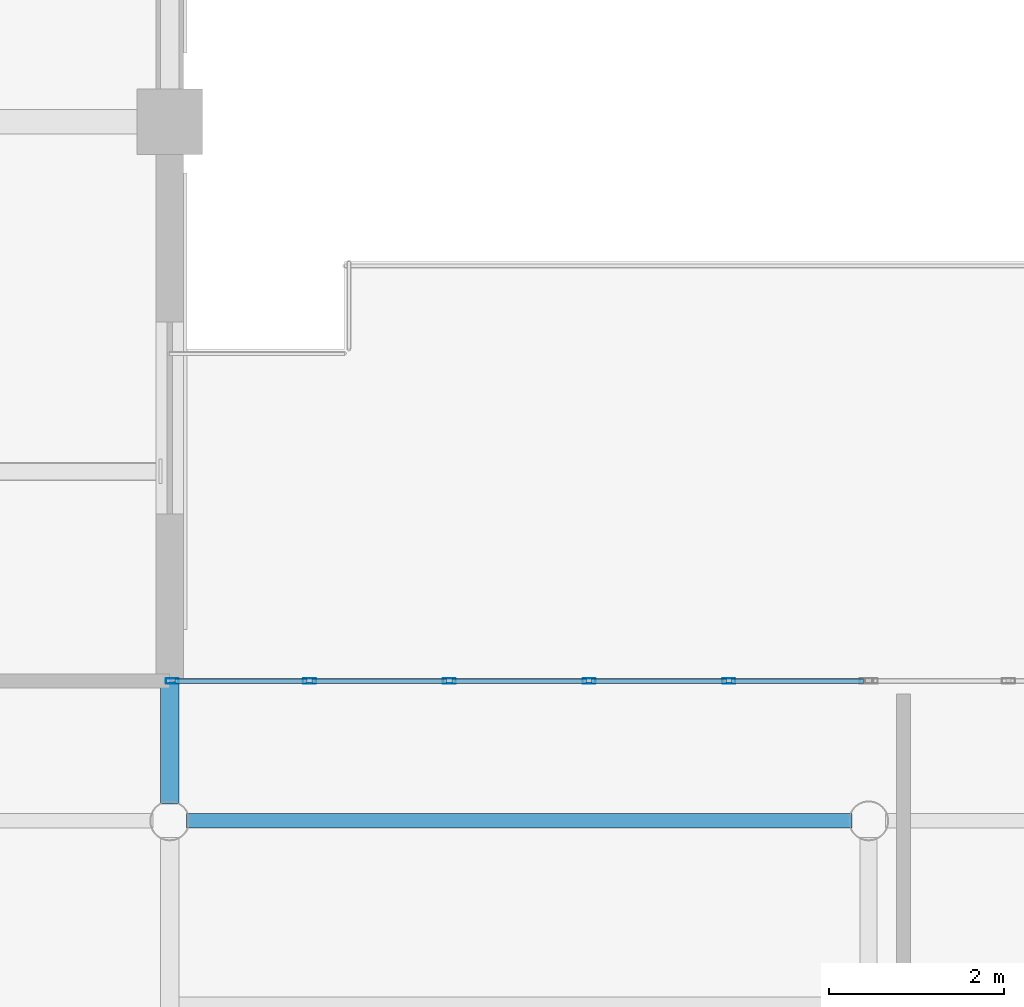
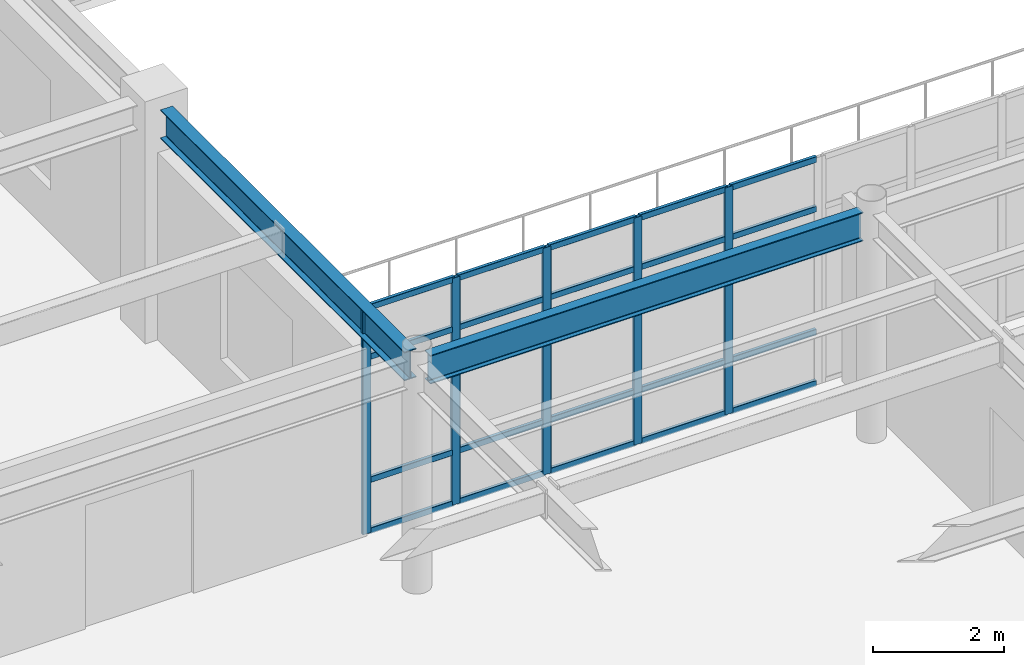
# One storey, part 18 of 93: 25 members, 2 beams, 1 element without a shape of its own.
"""IFC4 building model written with IfcOpenShell, lengths in metres."""

from ifc_helpers import new_model, si_unit, direction, frame, origin, origin_2d, place, context, subcontext, project, spatial, hollow_rectangle, i_section, extrude, material, material_profile, profile_set, type_object, element, aggregate, save


model = new_model("IFC4")

# Units and contexts
model_context = context("Model", 3, precision=1e-05, world=origin(), true_north=direction((0.0, 1.0)))
body_context = subcontext(model_context, "Body", "Model", "MODEL_VIEW")
ifc_project = project(units=[si_unit("LENGTHUNIT", "METRE"), si_unit("AREAUNIT", "SQUARE_METRE"), si_unit("VOLUMEUNIT", "CUBIC_METRE"), si_unit("PLANEANGLEUNIT", "RADIAN"), si_unit("MASSUNIT", "GRAM", prefix="KILO")], contexts=[model_context])

# Site, building, storey
site_placement = place(None, origin())
site = spatial("IfcSite", under=ifc_project, at=site_placement, CompositionType="ELEMENT")
building_placement = place(site_placement, origin())
building = spatial("IfcBuilding", under=site, at=building_placement, Name="Solmirada Galleria", CompositionType="ELEMENT")
storey_placement = place(building_placement, frame((0.0, 0.0, 14.89990234375)))
storey = spatial("IfcBuildingStorey", under=building, at=storey_placement, Name="L03", CompositionType="ELEMENT", Elevation=14.89990234375)

# Beams
ifc_material_1 = material(Name="Steel S355 / ASTM A992 Grade 50", Category="steel")
ifc_material_profile_1 = material_profile(ifc_material_1, i_section(OverallWidth=0.2099609375, OverallDepth=0.537109375, WebThickness=0.010986328125, FlangeThickness=0.017333984375, FilletRadius=0.014892578125, at=origin_2d()), Name="W21X68")
ifc_profile_set_1 = profile_set([ifc_material_profile_1], Name="Steel S355 / ASTM A992 Grade 50")
beam_type_1 = type_object("IfcBeamType", Name="BM-GIRD-W21B", PredefinedType="BEAM", material=ifc_profile_set_1)
beam_1_placement = place(storey_placement, frame((96.0, 32.19189453125, 3.99169921875), z_axis=(0.0, 1.0, 0.0), x_axis=(-1.0, 0.0, 0.0)))
element("IfcBeam", 1, at=beam_1_placement, inside=storey, type_object=beam_type_1, Name="Primary girder L04 Y(96, 32..40)", PredefinedType="BEAM", context=body_context, shape_type="SweptSolid", body=[
    extrude(i_section(OverallWidth=0.2099609375, OverallDepth=0.537109375, WebThickness=0.010986328125, FlangeThickness=0.017333984375, FilletRadius=0.014892578125, at=origin_2d()), origin(), (0.0, 0.0, 1.0), 7.43310546875),
])
ifc_material_profile_2 = material_profile(ifc_material_1, i_section(OverallWidth=0.1669921875, OverallDepth=0.534912109375, WebThickness=0.01025390625, FlangeThickness=0.0166015625, FilletRadius=0.013916015625, at=origin_2d()), Name="W21X57")
ifc_profile_set_2 = profile_set([ifc_material_profile_2], Name="Steel S355 / ASTM A992 Grade 50")
beam_type_2 = type_object("IfcBeamType", Name="BM-GIRD-W21C", PredefinedType="BEAM", material=ifc_profile_set_2)
beam_2_placement = place(storey_placement, frame((96.19189453125, 32.0, 3.99267578125), z_axis=(1.0, 0.0, 0.0), x_axis=(0.0, 1.0, 0.0)))
element("IfcBeam", 2, at=beam_2_placement, inside=storey, type_object=beam_type_2, Name="Primary beam L04 X(96..104, 32)", PredefinedType="BEAM", context=body_context, shape_type="SweptSolid", body=[
    extrude(i_section(OverallWidth=0.1669921875, OverallDepth=0.534912109375, WebThickness=0.01025390625, FlangeThickness=0.0166015625, FilletRadius=0.013916015625, at=origin_2d()), origin(), (0.0, 0.0, 1.0), 7.6162109375),
])

# Curtain wall, members
ifc_material_2 = material(Name="Impact-resistant low-E double glazing", Category="glass")
curtain_wall_type = type_object("IfcCurtainWallType", Name="CW-FZ5-L03-B5-L080", PredefinedType="NOTDEFINED", material=ifc_material_2)
curtain_wall_placement = place(storey_placement, origin())
curtain_wall = element("IfcCurtainWall", 3, at=curtain_wall_placement, inside=storey, type_object=curtain_wall_type, Name="Terrace and arcade storefront CW-L03-136", PredefinedType="NOTDEFINED")
ifc_material_3 = material(Name="Anodised aluminium framing", Category="aluminium")
ifc_material_profile_3 = material_profile(ifc_material_3, hollow_rectangle(XDim=0.06005859375, YDim=0.14990234375, WallThickness=0.00341796875, InnerFilletRadius=0.00341796875, OuterFilletRadius=0.007080078125, at=origin_2d()), Name="ALU-MULL-150X60")
ifc_profile_set_3 = profile_set([ifc_material_profile_3], Name="Anodised aluminium framing")
member_type_1 = type_object("IfcMemberType", Name="CW-MULL-150", PredefinedType="MULLION", material=ifc_profile_set_3)
member_1_placement = place(storey_placement, frame((96.030029296875, 33.60009765625, 0.0), z_axis=(0.0, 0.0, 1.0), x_axis=(0.0, 1.0, 0.0)))
member_1 = element("IfcMember", 4, at=member_1_placement, type_object=member_type_1, Name="CW29 mullion 1", PredefinedType="MULLION", context=body_context, shape_type="SweptSolid", body=[
    extrude(hollow_rectangle(XDim=0.06005859375, YDim=0.14990234375, WallThickness=0.00341796875, InnerFilletRadius=0.00341796875, OuterFilletRadius=0.007080078125, at=origin_2d()), origin(), (0.0, 0.0, 1.0), 4.22021484375),
])
member_2_placement = place(storey_placement, frame((97.60009765625, 33.60009765625, 0.0), z_axis=(0.0, 0.0, 1.0), x_axis=(0.0, 1.0, 0.0)))
member_2 = element("IfcMember", 5, at=member_2_placement, type_object=member_type_1, Name="CW29 mullion 2", PredefinedType="MULLION", context=body_context, shape_type="SweptSolid", body=[
    extrude(hollow_rectangle(XDim=0.06005859375, YDim=0.14990234375, WallThickness=0.00341796875, InnerFilletRadius=0.00341796875, OuterFilletRadius=0.007080078125, at=origin_2d()), origin(), (0.0, 0.0, 1.0), 4.22021484375),
])
member_3_placement = place(storey_placement, frame((99.199951171875, 33.60009765625, 0.0), z_axis=(0.0, 0.0, 1.0), x_axis=(0.0, 1.0, 0.0)))
member_3 = element("IfcMember", 6, at=member_3_placement, type_object=member_type_1, Name="CW29 mullion 3", PredefinedType="MULLION", context=body_context, shape_type="SweptSolid", body=[
    extrude(hollow_rectangle(XDim=0.06005859375, YDim=0.14990234375, WallThickness=0.00341796875, InnerFilletRadius=0.00341796875, OuterFilletRadius=0.007080078125, at=origin_2d()), origin(), (0.0, 0.0, 1.0), 4.22021484375),
])
member_4_placement = place(storey_placement, frame((100.800048828125, 33.60009765625, 0.0), z_axis=(0.0, 0.0, 1.0), x_axis=(0.0, 1.0, 0.0)))
member_4 = element("IfcMember", 7, at=member_4_placement, type_object=member_type_1, Name="CW29 mullion 4", PredefinedType="MULLION", context=body_context, shape_type="SweptSolid", body=[
    extrude(hollow_rectangle(XDim=0.06005859375, YDim=0.14990234375, WallThickness=0.00341796875, InnerFilletRadius=0.00341796875, OuterFilletRadius=0.007080078125, at=origin_2d()), origin(), (0.0, 0.0, 1.0), 4.22021484375),
])
member_5_placement = place(storey_placement, frame((102.39990234375, 33.60009765625, 0.0), z_axis=(0.0, 0.0, 1.0), x_axis=(0.0, 1.0, 0.0)))
member_5 = element("IfcMember", 8, at=member_5_placement, type_object=member_type_1, Name="CW29 mullion 5", PredefinedType="MULLION", context=body_context, shape_type="SweptSolid", body=[
    extrude(hollow_rectangle(XDim=0.06005859375, YDim=0.14990234375, WallThickness=0.00341796875, InnerFilletRadius=0.00341796875, OuterFilletRadius=0.007080078125, at=origin_2d()), origin(), (0.0, 0.0, 1.0), 4.22021484375),
])
ifc_material_profile_4 = material_profile(ifc_material_3, hollow_rectangle(XDim=0.06005859375, YDim=0.110107421875, WallThickness=0.003173828125, InnerFilletRadius=0.003173828125, OuterFilletRadius=0.00634765625, at=origin_2d()), Name="ALU-TRAN-110X60")
ifc_profile_set_4 = profile_set([ifc_material_profile_4], Name="Anodised aluminium framing")
member_type_2 = type_object("IfcMemberType", Name="CW-TRAN-110", PredefinedType="USERDEFINED", material=ifc_profile_set_4)
member_6_placement = place(storey_placement, frame((96.06005859375, 33.60009765625, 0.030029296875), z_axis=(1.0, 0.0, 0.0), x_axis=(0.0, 1.0, 0.0)))
member_6 = element("IfcMember", 9, at=member_6_placement, type_object=member_type_2, Name="CW29 transom 1.1", ObjectType="TRANSOM", PredefinedType="USERDEFINED", context=body_context, shape_type="SweptSolid", body=[
    extrude(hollow_rectangle(XDim=0.06005859375, YDim=0.110107421875, WallThickness=0.003173828125, InnerFilletRadius=0.003173828125, OuterFilletRadius=0.00634765625, at=origin_2d()), origin(), (0.0, 0.0, 1.0), 1.510009765625),
])
member_7_placement = place(storey_placement, frame((96.06005859375, 33.60009765625, 0.97998046875), z_axis=(1.0, 0.0, 0.0), x_axis=(0.0, 1.0, 0.0)))
member_7 = element("IfcMember", 10, at=member_7_placement, type_object=member_type_2, Name="CW29 transom 1.2", ObjectType="TRANSOM", PredefinedType="USERDEFINED", context=body_context, shape_type="SweptSolid", body=[
    extrude(hollow_rectangle(XDim=0.06005859375, YDim=0.110107421875, WallThickness=0.003173828125, InnerFilletRadius=0.003173828125, OuterFilletRadius=0.00634765625, at=origin_2d()), origin(), (0.0, 0.0, 1.0), 1.510009765625),
])
member_8_placement = place(storey_placement, frame((96.06005859375, 33.60009765625, 3.27001953125), z_axis=(1.0, 0.0, 0.0), x_axis=(0.0, 1.0, 0.0)))
member_8 = element("IfcMember", 11, at=member_8_placement, type_object=member_type_2, Name="CW29 transom 1.3", ObjectType="TRANSOM", PredefinedType="USERDEFINED", context=body_context, shape_type="SweptSolid", body=[
    extrude(hollow_rectangle(XDim=0.06005859375, YDim=0.110107421875, WallThickness=0.003173828125, InnerFilletRadius=0.003173828125, OuterFilletRadius=0.00634765625, at=origin_2d()), origin(), (0.0, 0.0, 1.0), 1.510009765625),
])
member_9_placement = place(storey_placement, frame((96.06005859375, 33.60009765625, 4.190185546875), z_axis=(1.0, 0.0, 0.0), x_axis=(0.0, 1.0, 0.0)))
member_9 = element("IfcMember", 12, at=member_9_placement, type_object=member_type_2, Name="CW29 transom 1.4", ObjectType="TRANSOM", PredefinedType="USERDEFINED", context=body_context, shape_type="SweptSolid", body=[
    extrude(hollow_rectangle(XDim=0.06005859375, YDim=0.110107421875, WallThickness=0.003173828125, InnerFilletRadius=0.003173828125, OuterFilletRadius=0.00634765625, at=origin_2d()), origin(), (0.0, 0.0, 1.0), 1.510009765625),
])
member_10_placement = place(storey_placement, frame((97.6298828125, 33.60009765625, 0.030029296875), z_axis=(1.0, 0.0, 0.0), x_axis=(0.0, 1.0, 0.0)))
member_10 = element("IfcMember", 13, at=member_10_placement, type_object=member_type_2, Name="CW29 transom 2.1", ObjectType="TRANSOM", PredefinedType="USERDEFINED", context=body_context, shape_type="SweptSolid", body=[
    extrude(hollow_rectangle(XDim=0.06005859375, YDim=0.110107421875, WallThickness=0.003173828125, InnerFilletRadius=0.003173828125, OuterFilletRadius=0.00634765625, at=origin_2d()), origin(), (0.0, 0.0, 1.0), 1.5400390625),
])
member_11_placement = place(storey_placement, frame((97.6298828125, 33.60009765625, 0.97998046875), z_axis=(1.0, 0.0, 0.0), x_axis=(0.0, 1.0, 0.0)))
member_11 = element("IfcMember", 14, at=member_11_placement, type_object=member_type_2, Name="CW29 transom 2.2", ObjectType="TRANSOM", PredefinedType="USERDEFINED", context=body_context, shape_type="SweptSolid", body=[
    extrude(hollow_rectangle(XDim=0.06005859375, YDim=0.110107421875, WallThickness=0.003173828125, InnerFilletRadius=0.003173828125, OuterFilletRadius=0.00634765625, at=origin_2d()), origin(), (0.0, 0.0, 1.0), 1.5400390625),
])
member_12_placement = place(storey_placement, frame((97.6298828125, 33.60009765625, 3.27001953125), z_axis=(1.0, 0.0, 0.0), x_axis=(0.0, 1.0, 0.0)))
member_12 = element("IfcMember", 15, at=member_12_placement, type_object=member_type_2, Name="CW29 transom 2.3", ObjectType="TRANSOM", PredefinedType="USERDEFINED", context=body_context, shape_type="SweptSolid", body=[
    extrude(hollow_rectangle(XDim=0.06005859375, YDim=0.110107421875, WallThickness=0.003173828125, InnerFilletRadius=0.003173828125, OuterFilletRadius=0.00634765625, at=origin_2d()), origin(), (0.0, 0.0, 1.0), 1.5400390625),
])
member_13_placement = place(storey_placement, frame((97.6298828125, 33.60009765625, 4.190185546875), z_axis=(1.0, 0.0, 0.0), x_axis=(0.0, 1.0, 0.0)))
member_13 = element("IfcMember", 16, at=member_13_placement, type_object=member_type_2, Name="CW29 transom 2.4", ObjectType="TRANSOM", PredefinedType="USERDEFINED", context=body_context, shape_type="SweptSolid", body=[
    extrude(hollow_rectangle(XDim=0.06005859375, YDim=0.110107421875, WallThickness=0.003173828125, InnerFilletRadius=0.003173828125, OuterFilletRadius=0.00634765625, at=origin_2d()), origin(), (0.0, 0.0, 1.0), 1.5400390625),
])
member_14_placement = place(storey_placement, frame((99.22998046875, 33.60009765625, 0.030029296875), z_axis=(1.0, 0.0, 0.0), x_axis=(0.0, 1.0, 0.0)))
member_14 = element("IfcMember", 17, at=member_14_placement, type_object=member_type_2, Name="CW29 transom 3.1", ObjectType="TRANSOM", PredefinedType="USERDEFINED", context=body_context, shape_type="SweptSolid", body=[
    extrude(hollow_rectangle(XDim=0.06005859375, YDim=0.110107421875, WallThickness=0.003173828125, InnerFilletRadius=0.003173828125, OuterFilletRadius=0.00634765625, at=origin_2d()), origin(), (0.0, 0.0, 1.0), 1.5400390625),
])
member_15_placement = place(storey_placement, frame((99.22998046875, 33.60009765625, 0.97998046875), z_axis=(1.0, 0.0, 0.0), x_axis=(0.0, 1.0, 0.0)))
member_15 = element("IfcMember", 18, at=member_15_placement, type_object=member_type_2, Name="CW29 transom 3.2", ObjectType="TRANSOM", PredefinedType="USERDEFINED", context=body_context, shape_type="SweptSolid", body=[
    extrude(hollow_rectangle(XDim=0.06005859375, YDim=0.110107421875, WallThickness=0.003173828125, InnerFilletRadius=0.003173828125, OuterFilletRadius=0.00634765625, at=origin_2d()), origin(), (0.0, 0.0, 1.0), 1.5400390625),
])
member_16_placement = place(storey_placement, frame((99.22998046875, 33.60009765625, 3.27001953125), z_axis=(1.0, 0.0, 0.0), x_axis=(0.0, 1.0, 0.0)))
member_16 = element("IfcMember", 19, at=member_16_placement, type_object=member_type_2, Name="CW29 transom 3.3", ObjectType="TRANSOM", PredefinedType="USERDEFINED", context=body_context, shape_type="SweptSolid", body=[
    extrude(hollow_rectangle(XDim=0.06005859375, YDim=0.110107421875, WallThickness=0.003173828125, InnerFilletRadius=0.003173828125, OuterFilletRadius=0.00634765625, at=origin_2d()), origin(), (0.0, 0.0, 1.0), 1.5400390625),
])
member_17_placement = place(storey_placement, frame((99.22998046875, 33.60009765625, 4.190185546875), z_axis=(1.0, 0.0, 0.0), x_axis=(0.0, 1.0, 0.0)))
member_17 = element("IfcMember", 20, at=member_17_placement, type_object=member_type_2, Name="CW29 transom 3.4", ObjectType="TRANSOM", PredefinedType="USERDEFINED", context=body_context, shape_type="SweptSolid", body=[
    extrude(hollow_rectangle(XDim=0.06005859375, YDim=0.110107421875, WallThickness=0.003173828125, InnerFilletRadius=0.003173828125, OuterFilletRadius=0.00634765625, at=origin_2d()), origin(), (0.0, 0.0, 1.0), 1.5400390625),
])
member_18_placement = place(storey_placement, frame((100.830078125, 33.60009765625, 0.030029296875), z_axis=(1.0, 0.0, 0.0), x_axis=(0.0, 1.0, 0.0)))
member_18 = element("IfcMember", 21, at=member_18_placement, type_object=member_type_2, Name="CW29 transom 4.1", ObjectType="TRANSOM", PredefinedType="USERDEFINED", context=body_context, shape_type="SweptSolid", body=[
    extrude(hollow_rectangle(XDim=0.06005859375, YDim=0.110107421875, WallThickness=0.003173828125, InnerFilletRadius=0.003173828125, OuterFilletRadius=0.00634765625, at=origin_2d()), origin(), (0.0, 0.0, 1.0), 1.5400390625),
])
member_19_placement = place(storey_placement, frame((100.830078125, 33.60009765625, 0.97998046875), z_axis=(1.0, 0.0, 0.0), x_axis=(0.0, 1.0, 0.0)))
member_19 = element("IfcMember", 22, at=member_19_placement, type_object=member_type_2, Name="CW29 transom 4.2", ObjectType="TRANSOM", PredefinedType="USERDEFINED", context=body_context, shape_type="SweptSolid", body=[
    extrude(hollow_rectangle(XDim=0.06005859375, YDim=0.110107421875, WallThickness=0.003173828125, InnerFilletRadius=0.003173828125, OuterFilletRadius=0.00634765625, at=origin_2d()), origin(), (0.0, 0.0, 1.0), 1.5400390625),
])
member_20_placement = place(storey_placement, frame((100.830078125, 33.60009765625, 3.27001953125), z_axis=(1.0, 0.0, 0.0), x_axis=(0.0, 1.0, 0.0)))
member_20 = element("IfcMember", 23, at=member_20_placement, type_object=member_type_2, Name="CW29 transom 4.3", ObjectType="TRANSOM", PredefinedType="USERDEFINED", context=body_context, shape_type="SweptSolid", body=[
    extrude(hollow_rectangle(XDim=0.06005859375, YDim=0.110107421875, WallThickness=0.003173828125, InnerFilletRadius=0.003173828125, OuterFilletRadius=0.00634765625, at=origin_2d()), origin(), (0.0, 0.0, 1.0), 1.5400390625),
])
member_21_placement = place(storey_placement, frame((100.830078125, 33.60009765625, 4.190185546875), z_axis=(1.0, 0.0, 0.0), x_axis=(0.0, 1.0, 0.0)))
member_21 = element("IfcMember", 24, at=member_21_placement, type_object=member_type_2, Name="CW29 transom 4.4", ObjectType="TRANSOM", PredefinedType="USERDEFINED", context=body_context, shape_type="SweptSolid", body=[
    extrude(hollow_rectangle(XDim=0.06005859375, YDim=0.110107421875, WallThickness=0.003173828125, InnerFilletRadius=0.003173828125, OuterFilletRadius=0.00634765625, at=origin_2d()), origin(), (0.0, 0.0, 1.0), 1.5400390625),
])
member_22_placement = place(storey_placement, frame((102.429931640625, 33.60009765625, 0.030029296875), z_axis=(1.0, 0.0, 0.0), x_axis=(0.0, 1.0, 0.0)))
member_22 = element("IfcMember", 25, at=member_22_placement, type_object=member_type_2, Name="CW29 transom 5.1", ObjectType="TRANSOM", PredefinedType="USERDEFINED", context=body_context, shape_type="SweptSolid", body=[
    extrude(hollow_rectangle(XDim=0.06005859375, YDim=0.110107421875, WallThickness=0.003173828125, InnerFilletRadius=0.003173828125, OuterFilletRadius=0.00634765625, at=origin_2d()), origin(), (0.0, 0.0, 1.0), 1.510009765625),
])
member_23_placement = place(storey_placement, frame((102.429931640625, 33.60009765625, 0.97998046875), z_axis=(1.0, 0.0, 0.0), x_axis=(0.0, 1.0, 0.0)))
member_23 = element("IfcMember", 26, at=member_23_placement, type_object=member_type_2, Name="CW29 transom 5.2", ObjectType="TRANSOM", PredefinedType="USERDEFINED", context=body_context, shape_type="SweptSolid", body=[
    extrude(hollow_rectangle(XDim=0.06005859375, YDim=0.110107421875, WallThickness=0.003173828125, InnerFilletRadius=0.003173828125, OuterFilletRadius=0.00634765625, at=origin_2d()), origin(), (0.0, 0.0, 1.0), 1.510009765625),
])
member_24_placement = place(storey_placement, frame((102.429931640625, 33.60009765625, 3.27001953125), z_axis=(1.0, 0.0, 0.0), x_axis=(0.0, 1.0, 0.0)))
member_24 = element("IfcMember", 27, at=member_24_placement, type_object=member_type_2, Name="CW29 transom 5.3", ObjectType="TRANSOM", PredefinedType="USERDEFINED", context=body_context, shape_type="SweptSolid", body=[
    extrude(hollow_rectangle(XDim=0.06005859375, YDim=0.110107421875, WallThickness=0.003173828125, InnerFilletRadius=0.003173828125, OuterFilletRadius=0.00634765625, at=origin_2d()), origin(), (0.0, 0.0, 1.0), 1.510009765625),
])
member_25_placement = place(storey_placement, frame((102.429931640625, 33.60009765625, 4.190185546875), z_axis=(1.0, 0.0, 0.0), x_axis=(0.0, 1.0, 0.0)))
member_25 = element("IfcMember", 28, at=member_25_placement, type_object=member_type_2, Name="CW29 transom 5.4", ObjectType="TRANSOM", PredefinedType="USERDEFINED", context=body_context, shape_type="SweptSolid", body=[
    extrude(hollow_rectangle(XDim=0.06005859375, YDim=0.110107421875, WallThickness=0.003173828125, InnerFilletRadius=0.003173828125, OuterFilletRadius=0.00634765625, at=origin_2d()), origin(), (0.0, 0.0, 1.0), 1.510009765625),
])
aggregate(curtain_wall, [member_1, member_2, member_3, member_4, member_5, member_6, member_7, member_8, member_9, member_10, member_11, member_12, member_13, member_14, member_15, member_16, member_17, member_18, member_19, member_20, member_21, member_22, member_23, member_24, member_25])

save(model, "model.ifc")
